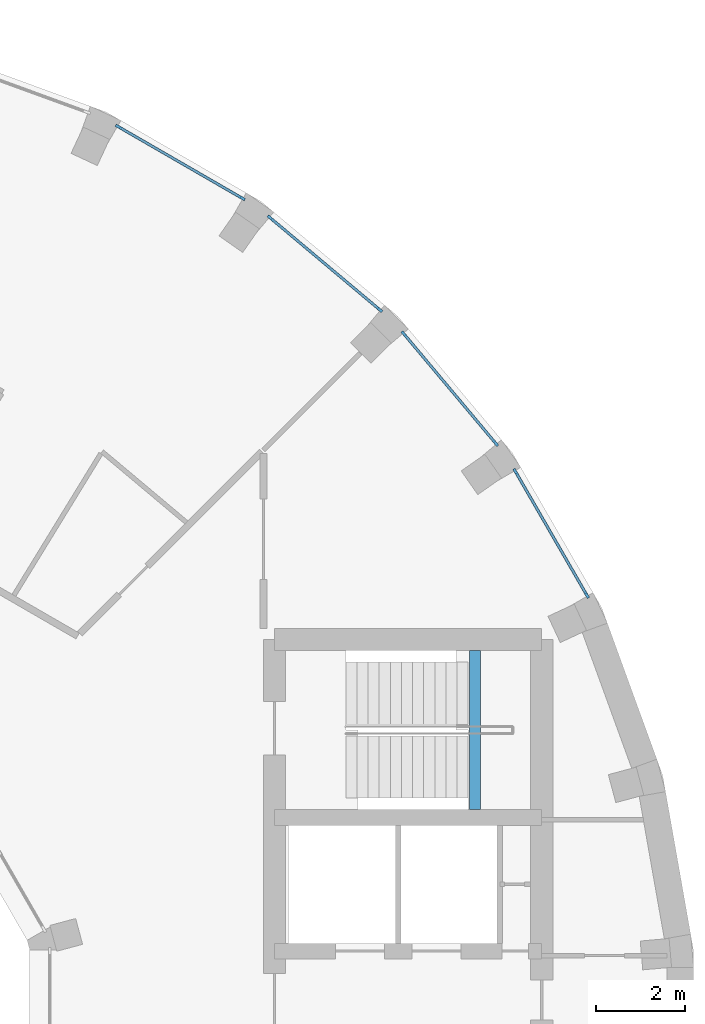
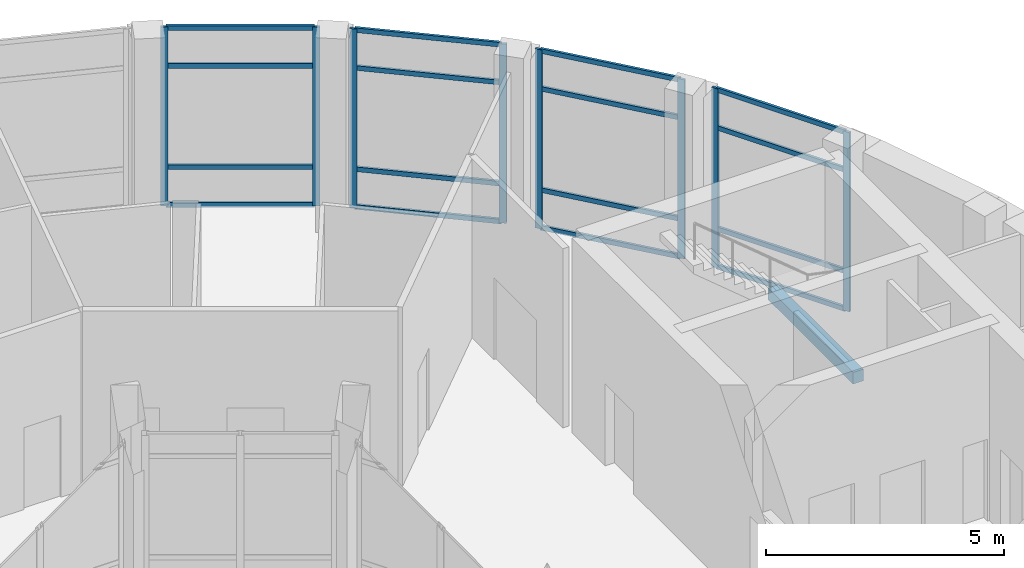
# One storey, part 9 of 19: 24 members, 1 beam, 4 elements without a shape of their own.
"""IFC4 building model written with IfcOpenShell, lengths in metres."""

from ifc_helpers import new_model, si_unit, direction, frame, origin, origin_2d, place, context, subcontext, project, spatial, rectangle, extrude, material, layer, layer_set, material_profile, profile_set, type_object, element, aggregate, save


model = new_model("IFC4")

# Units and contexts
model_context = context("Model", 3, precision=1e-05, world=origin(), true_north=direction((0.0, 1.0)))
body_context = subcontext(model_context, "Body", "Model", "MODEL_VIEW")
ifc_project = project(units=[si_unit("LENGTHUNIT", "METRE"), si_unit("AREAUNIT", "SQUARE_METRE"), si_unit("VOLUMEUNIT", "CUBIC_METRE"), si_unit("PLANEANGLEUNIT", "RADIAN"), si_unit("MASSUNIT", "GRAM", prefix="KILO")], contexts=[model_context])

# Site, building, storey
site_placement = place(None, origin())
site = spatial("IfcSite", under=ifc_project, at=site_placement, CompositionType="ELEMENT")
building_placement = place(site_placement, origin())
building = spatial("IfcBuilding", under=site, at=building_placement, Name="Saqina Gate Tower", CompositionType="ELEMENT")
storey_placement = place(building_placement, frame((0.0, 0.0, 224.699951171875)))
storey = spatial("IfcBuildingStorey", under=building, at=storey_placement, Name="L64", CompositionType="ELEMENT", Elevation=224.699951171875)

# Curtain wall, members
ifc_material_1 = material(Name="Aluminium glazing", Category="aluminium")
ifc_layer = layer(ifc_material_1, 0.159912109375)
ifc_layer_set = layer_set([ifc_layer], Name="CWT-2")
curtain_wall_type = type_object("IfcCurtainWallType", Name="CWT-2", PredefinedType="NOTDEFINED", material=ifc_layer_set)
curtain_wall_1_placement = place(storey_placement, origin())
curtain_wall_1 = element("IfcCurtainWall", 1, at=curtain_wall_1_placement, inside=storey, type_object=curtain_wall_type, Name="Sky lounge glazing facet 3", PredefinedType="NOTDEFINED")
ifc_material_2 = material(Name="Aluminium", Category="aluminium")
ifc_material_profile_1 = material_profile(ifc_material_2, rectangle(XDim=0.06005859375, YDim=0.159912109375, at=origin_2d()), Name="Aluminium 60x160")
ifc_profile_set_1 = profile_set([ifc_material_profile_1], Name="Aluminium")
member_type_1 = type_object("IfcMemberType", Name="CWT-2M", PredefinedType="MULLION", material=ifc_profile_set_1)
member_1_placement = place(storey_placement, frame((20.5107421875, 9.999267578125, 0.0), z_axis=(0.0, 0.0, 1.0), x_axis=(-0.8660355365, -0.499982449212, 0.0)))
member_1 = element("IfcMember", 2, at=member_1_placement, type_object=member_type_1, Name="CW2-03 mullion 1", PredefinedType="MULLION", context=body_context, shape_type="SweptSolid", body=[
    extrude(rectangle(XDim=0.06005859375, YDim=0.159912109375, at=origin_2d()), origin(), (0.0, 0.0, 1.0), 4.60009765625),
])
member_2_placement = place(storey_placement, frame((18.9150390625, 12.763427734375, 0.0), z_axis=(0.0, 0.0, 1.0), x_axis=(-0.8660355365, -0.499982449212, 0.0)))
member_2 = element("IfcMember", 3, at=member_2_placement, type_object=member_type_1, Name="CW2-03 mullion 2", PredefinedType="MULLION", context=body_context, shape_type="SweptSolid", body=[
    extrude(rectangle(XDim=0.06005859375, YDim=0.159912109375, at=origin_2d()), origin(), (0.0, 0.0, 1.0), 4.60009765625),
])

curtain_wall_2_placement = place(storey_placement, origin())
curtain_wall_2 = element("IfcCurtainWall", 4, at=curtain_wall_2_placement, inside=storey, type_object=curtain_wall_type, Name="Sky lounge glazing facet 4", PredefinedType="NOTDEFINED")
member_3_placement = place(storey_placement, frame((18.462890625, 13.408935546875, 0.0), z_axis=(0.0, 0.0, 1.0), x_axis=(-0.766046452821, -0.642785214609, 0.0)))
member_3 = element("IfcMember", 5, at=member_3_placement, type_object=member_type_1, Name="CW2-04 mullion 1", PredefinedType="MULLION", context=body_context, shape_type="SweptSolid", body=[
    extrude(rectangle(XDim=0.06005859375, YDim=0.159912109375, at=origin_2d()), origin(), (0.0, 0.0, 1.0), 4.60009765625),
])
member_4_placement = place(storey_placement, frame((16.411376953125, 15.85400390625, 0.0), z_axis=(0.0, 0.0, 1.0), x_axis=(-0.766046452821, -0.642785214609, 0.0)))
member_4 = element("IfcMember", 6, at=member_4_placement, type_object=member_type_1, Name="CW2-04 mullion 2", PredefinedType="MULLION", context=body_context, shape_type="SweptSolid", body=[
    extrude(rectangle(XDim=0.06005859375, YDim=0.159912109375, at=origin_2d()), origin(), (0.0, 0.0, 1.0), 4.60009765625),
])

curtain_wall_3_placement = place(storey_placement, origin())
curtain_wall_3 = element("IfcCurtainWall", 7, at=curtain_wall_3_placement, inside=storey, type_object=curtain_wall_type, Name="Sky lounge glazing facet 5", PredefinedType="NOTDEFINED")
member_5_placement = place(storey_placement, frame((15.85400390625, 16.411376953125, 0.0), z_axis=(0.0, 0.0, 1.0), x_axis=(-0.642785214609, -0.766046452821, 0.0)))
member_5 = element("IfcMember", 8, at=member_5_placement, type_object=member_type_1, Name="CW2-05 mullion 1", PredefinedType="MULLION", context=body_context, shape_type="SweptSolid", body=[
    extrude(rectangle(XDim=0.06005859375, YDim=0.159912109375, at=origin_2d()), origin(), (0.0, 0.0, 1.0), 4.60009765625),
])
member_6_placement = place(storey_placement, frame((13.408935546875, 18.462890625, 0.0), z_axis=(0.0, 0.0, 1.0), x_axis=(-0.642785214609, -0.766046452821, 0.0)))
member_6 = element("IfcMember", 9, at=member_6_placement, type_object=member_type_1, Name="CW2-05 mullion 2", PredefinedType="MULLION", context=body_context, shape_type="SweptSolid", body=[
    extrude(rectangle(XDim=0.06005859375, YDim=0.159912109375, at=origin_2d()), origin(), (0.0, 0.0, 1.0), 4.60009765625),
])

curtain_wall_4_placement = place(storey_placement, origin())
curtain_wall_4 = element("IfcCurtainWall", 10, at=curtain_wall_4_placement, inside=storey, type_object=curtain_wall_type, Name="Sky lounge glazing facet 6", PredefinedType="NOTDEFINED")
member_7_placement = place(storey_placement, frame((12.763427734375, 18.9150390625, 0.0), z_axis=(0.0, 0.0, 1.0), x_axis=(-0.499982449212, -0.8660355365, 0.0)))
member_7 = element("IfcMember", 11, at=member_7_placement, type_object=member_type_1, Name="CW2-06 mullion 1", PredefinedType="MULLION", context=body_context, shape_type="SweptSolid", body=[
    extrude(rectangle(XDim=0.06005859375, YDim=0.159912109375, at=origin_2d()), origin(), (0.0, 0.0, 1.0), 4.60009765625),
])
member_8_placement = place(storey_placement, frame((9.999267578125, 20.5107421875, 0.0), z_axis=(0.0, 0.0, 1.0), x_axis=(-0.499982449212, -0.8660355365, 0.0)))
member_8 = element("IfcMember", 12, at=member_8_placement, type_object=member_type_1, Name="CW2-06 mullion 2", PredefinedType="MULLION", context=body_context, shape_type="SweptSolid", body=[
    extrude(rectangle(XDim=0.06005859375, YDim=0.159912109375, at=origin_2d()), origin(), (0.0, 0.0, 1.0), 4.60009765625),
])

# Member
ifc_material_3 = material(Name="Aluminium", Category="aluminium")
ifc_material_profile_2 = material_profile(ifc_material_3, rectangle(XDim=0.06005859375, YDim=0.1201171875, at=origin_2d()), Name="Aluminium 60x120")
ifc_profile_set_2 = profile_set([ifc_material_profile_2], Name="Aluminium")
member_type_2 = type_object("IfcMemberType", Name="CWT-2T", PredefinedType="USERDEFINED", material=ifc_profile_set_2)
member_9_placement = place(storey_placement, frame((20.495849609375, 10.025146484375, 0.030029296875), z_axis=(-0.50001262068, 0.866018117109, 0.0), x_axis=(-0.866018117109, -0.50001262068, 0.0)))
member_9 = element("IfcMember", 13, at=member_9_placement, type_object=member_type_2, Name="CW2-03 transom 1.1", ObjectType="TRANSOM", PredefinedType="USERDEFINED", context=body_context, shape_type="SweptSolid", body=[
    extrude(rectangle(XDim=0.06005859375, YDim=0.1201171875, at=origin_2d()), origin(), (0.0, 0.0, 1.0), 3.1318359375),
])

member_10_placement = place(storey_placement, frame((20.495849609375, 10.025146484375, 1.0), z_axis=(-0.50001262068, 0.866018117109, 0.0), x_axis=(-0.866018117109, -0.50001262068, 0.0)))
member_10 = element("IfcMember", 14, at=member_10_placement, type_object=member_type_2, Name="CW2-03 transom 1.2", ObjectType="TRANSOM", PredefinedType="USERDEFINED", context=body_context, shape_type="SweptSolid", body=[
    extrude(rectangle(XDim=0.06005859375, YDim=0.1201171875, at=origin_2d()), origin(), (0.0, 0.0, 1.0), 3.1318359375),
])

member_11_placement = place(storey_placement, frame((20.495849609375, 10.025146484375, 3.60009765625), z_axis=(-0.50001262068, 0.866018117109, 0.0), x_axis=(-0.866018117109, -0.50001262068, 0.0)))
member_11 = element("IfcMember", 15, at=member_11_placement, type_object=member_type_2, Name="CW2-03 transom 1.3", ObjectType="TRANSOM", PredefinedType="USERDEFINED", context=body_context, shape_type="SweptSolid", body=[
    extrude(rectangle(XDim=0.06005859375, YDim=0.1201171875, at=origin_2d()), origin(), (0.0, 0.0, 1.0), 3.1318359375),
])

member_12_placement = place(storey_placement, frame((20.495849609375, 10.025146484375, 4.570068359375), z_axis=(-0.50001262068, 0.866018117109, 0.0), x_axis=(-0.866018117109, -0.50001262068, 0.0)))
member_12 = element("IfcMember", 16, at=member_12_placement, type_object=member_type_2, Name="CW2-03 transom 1.4", ObjectType="TRANSOM", PredefinedType="USERDEFINED", context=body_context, shape_type="SweptSolid", body=[
    extrude(rectangle(XDim=0.06005859375, YDim=0.1201171875, at=origin_2d()), origin(), (0.0, 0.0, 1.0), 3.1318359375),
])

aggregate(curtain_wall_1, [member_1, member_2, member_9, member_10, member_11, member_12])

member_13_placement = place(storey_placement, frame((18.443603515625, 13.431884765625, 0.030029296875), z_axis=(-0.642749544244, 0.766076382206, 0.0), x_axis=(-0.766076382206, -0.642749544244, 0.0)))
member_13 = element("IfcMember", 17, at=member_13_placement, type_object=member_type_2, Name="CW2-04 transom 1.1", ObjectType="TRANSOM", PredefinedType="USERDEFINED", context=body_context, shape_type="SweptSolid", body=[
    extrude(rectangle(XDim=0.06005859375, YDim=0.1201171875, at=origin_2d()), origin(), (0.0, 0.0, 1.0), 3.1318359375),
])

member_14_placement = place(storey_placement, frame((18.443603515625, 13.431884765625, 1.0), z_axis=(-0.642749544244, 0.766076382206, 0.0), x_axis=(-0.766076382206, -0.642749544244, 0.0)))
member_14 = element("IfcMember", 18, at=member_14_placement, type_object=member_type_2, Name="CW2-04 transom 1.2", ObjectType="TRANSOM", PredefinedType="USERDEFINED", context=body_context, shape_type="SweptSolid", body=[
    extrude(rectangle(XDim=0.06005859375, YDim=0.1201171875, at=origin_2d()), origin(), (0.0, 0.0, 1.0), 3.1318359375),
])

member_15_placement = place(storey_placement, frame((18.443603515625, 13.431884765625, 3.60009765625), z_axis=(-0.642749544244, 0.766076382206, 0.0), x_axis=(-0.766076382206, -0.642749544244, 0.0)))
member_15 = element("IfcMember", 19, at=member_15_placement, type_object=member_type_2, Name="CW2-04 transom 1.3", ObjectType="TRANSOM", PredefinedType="USERDEFINED", context=body_context, shape_type="SweptSolid", body=[
    extrude(rectangle(XDim=0.06005859375, YDim=0.1201171875, at=origin_2d()), origin(), (0.0, 0.0, 1.0), 3.1318359375),
])

member_16_placement = place(storey_placement, frame((18.443603515625, 13.431884765625, 4.570068359375), z_axis=(-0.642749544244, 0.766076382206, 0.0), x_axis=(-0.766076382206, -0.642749544244, 0.0)))
member_16 = element("IfcMember", 20, at=member_16_placement, type_object=member_type_2, Name="CW2-04 transom 1.4", ObjectType="TRANSOM", PredefinedType="USERDEFINED", context=body_context, shape_type="SweptSolid", body=[
    extrude(rectangle(XDim=0.06005859375, YDim=0.1201171875, at=origin_2d()), origin(), (0.0, 0.0, 1.0), 3.1318359375),
])

aggregate(curtain_wall_2, [member_3, member_4, member_13, member_14, member_15, member_16])

member_17_placement = place(storey_placement, frame((15.8310546875, 16.4306640625, 0.030029296875), z_axis=(-0.766076382206, 0.642749544244, 0.0), x_axis=(-0.642749544244, -0.766076382206, 0.0)))
member_17 = element("IfcMember", 21, at=member_17_placement, type_object=member_type_2, Name="CW2-05 transom 1.1", ObjectType="TRANSOM", PredefinedType="USERDEFINED", context=body_context, shape_type="SweptSolid", body=[
    extrude(rectangle(XDim=0.06005859375, YDim=0.1201171875, at=origin_2d()), origin(), (0.0, 0.0, 1.0), 3.1318359375),
])

member_18_placement = place(storey_placement, frame((15.8310546875, 16.4306640625, 1.0), z_axis=(-0.766076382206, 0.642749544244, 0.0), x_axis=(-0.642749544244, -0.766076382206, 0.0)))
member_18 = element("IfcMember", 22, at=member_18_placement, type_object=member_type_2, Name="CW2-05 transom 1.2", ObjectType="TRANSOM", PredefinedType="USERDEFINED", context=body_context, shape_type="SweptSolid", body=[
    extrude(rectangle(XDim=0.06005859375, YDim=0.1201171875, at=origin_2d()), origin(), (0.0, 0.0, 1.0), 3.1318359375),
])

member_19_placement = place(storey_placement, frame((15.8310546875, 16.4306640625, 3.60009765625), z_axis=(-0.766076382206, 0.642749544244, 0.0), x_axis=(-0.642749544244, -0.766076382206, 0.0)))
member_19 = element("IfcMember", 23, at=member_19_placement, type_object=member_type_2, Name="CW2-05 transom 1.3", ObjectType="TRANSOM", PredefinedType="USERDEFINED", context=body_context, shape_type="SweptSolid", body=[
    extrude(rectangle(XDim=0.06005859375, YDim=0.1201171875, at=origin_2d()), origin(), (0.0, 0.0, 1.0), 3.1318359375),
])

member_20_placement = place(storey_placement, frame((15.8310546875, 16.4306640625, 4.570068359375), z_axis=(-0.766076382206, 0.642749544244, 0.0), x_axis=(-0.642749544244, -0.766076382206, 0.0)))
member_20 = element("IfcMember", 24, at=member_20_placement, type_object=member_type_2, Name="CW2-05 transom 1.4", ObjectType="TRANSOM", PredefinedType="USERDEFINED", context=body_context, shape_type="SweptSolid", body=[
    extrude(rectangle(XDim=0.06005859375, YDim=0.1201171875, at=origin_2d()), origin(), (0.0, 0.0, 1.0), 3.1318359375),
])

aggregate(curtain_wall_3, [member_5, member_6, member_17, member_18, member_19, member_20])

member_21_placement = place(storey_placement, frame((12.7373046875, 18.929931640625, 0.030029296875), z_axis=(-0.866018117109, 0.50001262068, 0.0), x_axis=(-0.50001262068, -0.866018117109, 0.0)))
member_21 = element("IfcMember", 25, at=member_21_placement, type_object=member_type_2, Name="CW2-06 transom 1.1", ObjectType="TRANSOM", PredefinedType="USERDEFINED", context=body_context, shape_type="SweptSolid", body=[
    extrude(rectangle(XDim=0.06005859375, YDim=0.1201171875, at=origin_2d()), origin(), (0.0, 0.0, 1.0), 3.1318359375),
])

member_22_placement = place(storey_placement, frame((12.7373046875, 18.929931640625, 1.0), z_axis=(-0.866018117109, 0.50001262068, 0.0), x_axis=(-0.50001262068, -0.866018117109, 0.0)))
member_22 = element("IfcMember", 26, at=member_22_placement, type_object=member_type_2, Name="CW2-06 transom 1.2", ObjectType="TRANSOM", PredefinedType="USERDEFINED", context=body_context, shape_type="SweptSolid", body=[
    extrude(rectangle(XDim=0.06005859375, YDim=0.1201171875, at=origin_2d()), origin(), (0.0, 0.0, 1.0), 3.1318359375),
])

member_23_placement = place(storey_placement, frame((12.7373046875, 18.929931640625, 3.60009765625), z_axis=(-0.866018117109, 0.50001262068, 0.0), x_axis=(-0.50001262068, -0.866018117109, 0.0)))
member_23 = element("IfcMember", 27, at=member_23_placement, type_object=member_type_2, Name="CW2-06 transom 1.3", ObjectType="TRANSOM", PredefinedType="USERDEFINED", context=body_context, shape_type="SweptSolid", body=[
    extrude(rectangle(XDim=0.06005859375, YDim=0.1201171875, at=origin_2d()), origin(), (0.0, 0.0, 1.0), 3.1318359375),
])

member_24_placement = place(storey_placement, frame((12.7373046875, 18.929931640625, 4.570068359375), z_axis=(-0.866018117109, 0.50001262068, 0.0), x_axis=(-0.50001262068, -0.866018117109, 0.0)))
member_24 = element("IfcMember", 28, at=member_24_placement, type_object=member_type_2, Name="CW2-06 transom 1.4", ObjectType="TRANSOM", PredefinedType="USERDEFINED", context=body_context, shape_type="SweptSolid", body=[
    extrude(rectangle(XDim=0.06005859375, YDim=0.1201171875, at=origin_2d()), origin(), (0.0, 0.0, 1.0), 3.1318359375),
])

aggregate(curtain_wall_4, [member_7, member_8, member_21, member_22, member_23, member_24])

# Beam
ifc_material_4 = material(Name="Concrete C40/50", Category="concrete")
ifc_material_profile_3 = material_profile(ifc_material_4, rectangle(XDim=0.25, YDim=0.300048828125, at=origin_2d()), Name="STAIR LANDING BEAM")
ifc_profile_set_3 = profile_set([ifc_material_profile_3], Name="Concrete C40/50")
beam_type = type_object("IfcBeamType", Name="STAIR LANDING BEAM", PredefinedType="BEAM", material=ifc_profile_set_3)
beam_placement = place(storey_placement, frame((18.0, 5.175048828125, 2.10009765625), z_axis=(0.0, 1.0, 0.0), x_axis=(-1.0, 0.0, 0.0)))
element("IfcBeam", 29, at=beam_placement, inside=storey, type_object=beam_type, Name="EXIT STAIR 1 LANDING BEAM", PredefinedType="BEAM", context=body_context, shape_type="SweptSolid", body=[
    extrude(rectangle(XDim=0.25, YDim=0.300048828125, at=origin_2d()), origin(), (0.0, 0.0, 1.0), 3.574951171875),
])

save(model, "model.ifc")
